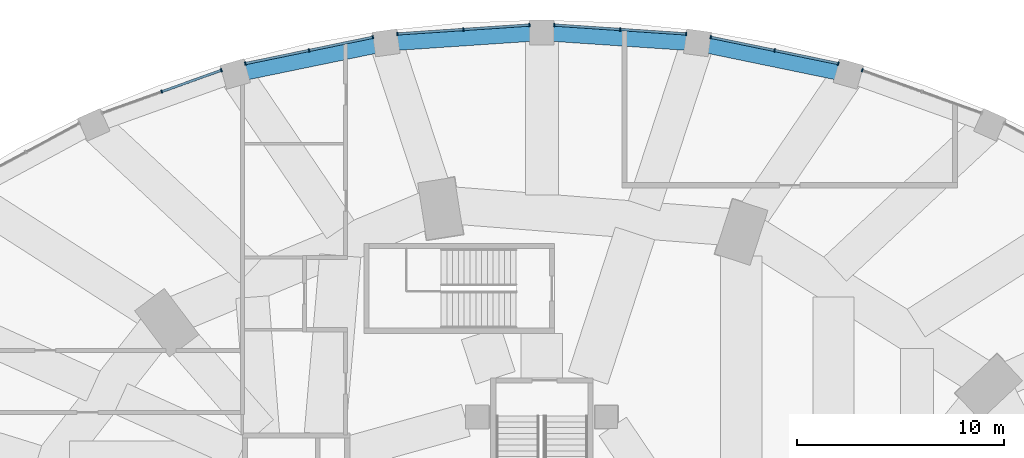
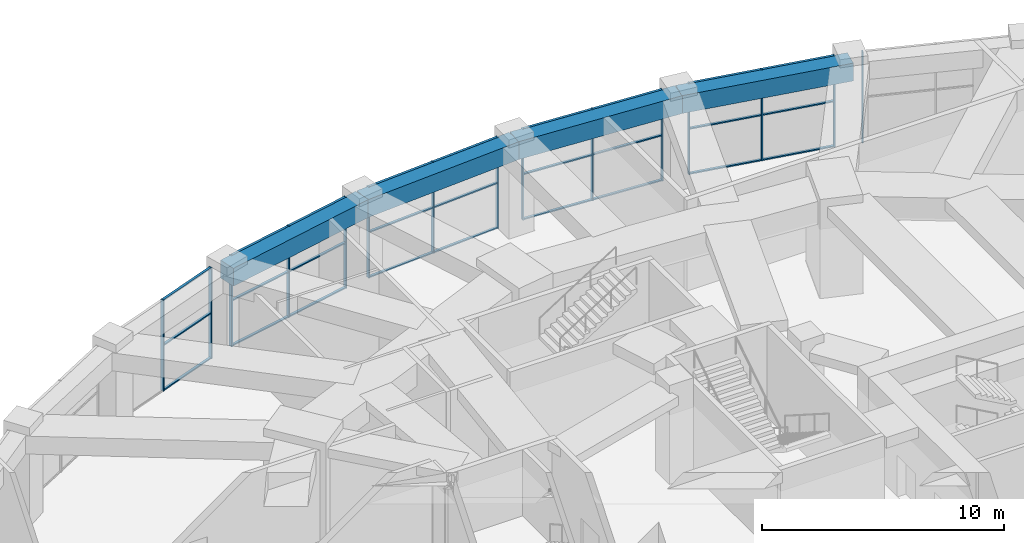
# One storey, part 16 of 32: 42 members, 4 beams, 6 elements without a shape of their own.
"""IFC4 building model written with IfcOpenShell, lengths in metres."""

from ifc_helpers import new_model, si_unit, direction, frame, origin, origin_2d, place, context, subcontext, project, spatial, rectangle, extrude, material, material_profile, profile_set, type_object, element, aggregate, save


model = new_model("IFC4")

# Units and contexts
model_context = context("Model", 3, precision=1e-05, world=origin(), true_north=direction((0.0, 1.0)))
body_context = subcontext(model_context, "Body", "Model", "MODEL_VIEW")
ifc_project = project(units=[si_unit("LENGTHUNIT", "METRE"), si_unit("AREAUNIT", "SQUARE_METRE"), si_unit("VOLUMEUNIT", "CUBIC_METRE"), si_unit("PLANEANGLEUNIT", "RADIAN"), si_unit("MASSUNIT", "GRAM", prefix="KILO")], contexts=[model_context])

# Site, building, storey
site_placement = place(None, origin())
site = spatial("IfcSite", under=ifc_project, at=site_placement, CompositionType="ELEMENT")
building_placement = place(site_placement, origin())
building = spatial("IfcBuilding", under=site, at=building_placement, Name="Taillehof Tower", CompositionType="ELEMENT")
storey_placement = place(building_placement, frame((0.0, 0.0, 7.5)))
storey = spatial("IfcBuildingStorey", under=building, at=storey_placement, Name="L01", CompositionType="ELEMENT", Elevation=7.5)

# Beams
ifc_material_1 = material(Name="Concrete C50/60", Category="concrete")
ifc_material_profile_1 = material_profile(ifc_material_1, rectangle(XDim=0.800048828125, YDim=0.89990234375, at=origin_2d()), Name="RC 800x900")
ifc_profile_set_1 = profile_set([ifc_material_profile_1], Name="Concrete C50/60")
beam_type = type_object("IfcBeamType", Name="Podium edge beam C50/60 800x900", PredefinedType="BEAM", material=ifc_profile_set_1)
beam_1_placement = place(storey_placement, frame((14.84375, 31.3857421875, 4.139892578125), z_axis=(-0.979394077534, 0.201958512797, 0.0), x_axis=(-0.201958512797, -0.979394077534, 0.0)))
element("IfcBeam", 1, at=beam_1_placement, inside=storey, type_object=beam_type, Name="Podium edge beam PB08", PredefinedType="BEAM", context=body_context, shape_type="SweptSolid", body=[
    extrude(rectangle(XDim=0.800048828125, YDim=0.89990234375, at=origin_2d()), origin(), (0.0, 0.0, 1.0), 7.461181640625),
])
for number, where, z_axis, x_axis, name in (
    (2, (7.536376953125, 32.892578125, 4.139892578125), (-0.997741900844, 0.067164717676, 0.0), (-0.067164717676, -0.997741900844, 0.0), "Podium edge beam PB09"),
    (3, (0.0, 33.39990234375, 4.139892578125), (-0.997741900844, -0.067164717676, 0.0), (0.067164717676, -0.997741900844, 0.0), "Podium edge beam PB10"),
):
    element("IfcBeam", number, at=place(storey_placement, frame(where, z_axis=z_axis, x_axis=x_axis)), inside=storey, type_object=beam_type, Name=name, PredefinedType="BEAM", context=body_context, shape_type="SweptSolid", body=[
        extrude(rectangle(XDim=0.800048828125, YDim=0.89990234375, at=origin_2d()), origin(), (0.0, 0.0, 1.0), 7.553466796875),
    ])
beam_2_placement = place(storey_placement, frame((-7.536376953125, 32.892578125, 4.139892578125), z_axis=(-0.979394077534, -0.201958512797, 0.0), x_axis=(0.201958512797, -0.979394077534, 0.0)))
element("IfcBeam", 4, at=beam_2_placement, inside=storey, type_object=beam_type, Name="Podium edge beam PB11", PredefinedType="BEAM", context=body_context, shape_type="SweptSolid", body=[
    extrude(rectangle(XDim=0.800048828125, YDim=0.89990234375, at=origin_2d()), origin(), (0.0, 0.0, 1.0), 7.461181640625),
])

# Curtain wall, member
ifc_material_2 = material(Name="Aluminium curtain wall with Clear low-emissivity double glazing", Category="aluminium")
curtain_wall_type = type_object("IfcCurtainWallType", Name="Podium window wall curtain wall", PredefinedType="USERDEFINED", material=ifc_material_2)
curtain_wall_1_placement = place(storey_placement, origin())
curtain_wall_1 = element("IfcCurtainWall", 5, at=curtain_wall_1_placement, inside=storey, type_object=curtain_wall_type, Name="Podium window wall L01 bay 7", ObjectType="WINDOW WALL", PredefinedType="USERDEFINED")
ifc_material_3 = material(Name="Aluminium mullion", Category="aluminium")
ifc_material_profile_2 = material_profile(ifc_material_3, rectangle(XDim=0.159912109375, YDim=0.06005859375, at=origin_2d()), Name="AL 60x160")
ifc_profile_set_2 = profile_set([ifc_material_profile_2], Name="Aluminium mullion")
member_type_1 = type_object("IfcMemberType", Name="Podium window wall mullion 60x160", PredefinedType="MULLION", material=ifc_profile_set_2)
member_1_placement = place(storey_placement, frame((15.51806640625, 31.567138671875, 0.0), z_axis=(0.0, 0.0, 1.0), x_axis=(-0.337798502496, -0.94121845058, 0.0)))
member_1 = element("IfcMember", 6, at=member_1_placement, type_object=member_type_1, Name="CT207 mullion 3", PredefinedType="MULLION", context=body_context, shape_type="SweptSolid", body=[
    extrude(rectangle(XDim=0.159912109375, YDim=0.06005859375, at=origin_2d()), origin(), (0.0, 0.0, 1.0), 4.590087890625),
])
aggregate(curtain_wall_1, [member_1])

# Curtain wall, members
curtain_wall_2_placement = place(storey_placement, origin())
curtain_wall_2 = element("IfcCurtainWall", 7, at=curtain_wall_2_placement, inside=storey, type_object=curtain_wall_type, Name="Podium window wall L01 bay 8", ObjectType="WINDOW WALL", PredefinedType="USERDEFINED")
member_2_placement = place(storey_placement, frame((14.36279296875, 31.891845703125, 0.0), z_axis=(0.0, 0.0, 1.0), x_axis=(-0.201976001877, -0.97939047099, 0.0)))
member_2 = element("IfcMember", 8, at=member_2_placement, type_object=member_type_1, Name="CT208 mullion 1", PredefinedType="MULLION", context=body_context, shape_type="SweptSolid", body=[
    extrude(rectangle(XDim=0.159912109375, YDim=0.06005859375, at=origin_2d()), origin(), (0.0, 0.0, 1.0), 4.590087890625),
])
member_3_placement = place(storey_placement, frame((11.27099609375, 32.529296875, 0.0), z_axis=(0.0, 0.0, 1.0), x_axis=(-0.201976001877, -0.97939047099, 0.0)))
member_3 = element("IfcMember", 9, at=member_3_placement, type_object=member_type_1, Name="CT208 mullion 2", PredefinedType="MULLION", context=body_context, shape_type="SweptSolid", body=[
    extrude(rectangle(XDim=0.159912109375, YDim=0.06005859375, at=origin_2d()), origin(), (0.0, 0.0, 1.0), 4.590087890625),
])
member_4_placement = place(storey_placement, frame((8.17919921875, 33.1669921875, 0.0), z_axis=(0.0, 0.0, 1.0), x_axis=(-0.201976001877, -0.97939047099, 0.0)))
member_4 = element("IfcMember", 10, at=member_4_placement, type_object=member_type_1, Name="CT208 mullion 3", PredefinedType="MULLION", context=body_context, shape_type="SweptSolid", body=[
    extrude(rectangle(XDim=0.159912109375, YDim=0.06005859375, at=origin_2d()), origin(), (0.0, 0.0, 1.0), 4.590087890625),
])

curtain_wall_3_placement = place(storey_placement, origin())
curtain_wall_3 = element("IfcCurtainWall", 11, at=curtain_wall_3_placement, inside=storey, type_object=curtain_wall_type, Name="Podium window wall L01 bay 9", ObjectType="WINDOW WALL", PredefinedType="USERDEFINED")
member_5_placement = place(storey_placement, frame((6.990234375, 33.328857421875, 0.0), z_axis=(0.0, 0.0, 1.0), x_axis=(-0.067182989977, -0.997740670644, 0.0)))
member_5 = element("IfcMember", 12, at=member_5_placement, type_object=member_type_1, Name="CT209 mullion 1", PredefinedType="MULLION", context=body_context, shape_type="SweptSolid", body=[
    extrude(rectangle(XDim=0.159912109375, YDim=0.06005859375, at=origin_2d()), origin(), (0.0, 0.0, 1.0), 4.590087890625),
])
member_6_placement = place(storey_placement, frame((3.795166015625, 33.5439453125, 0.0), z_axis=(0.0, 0.0, 1.0), x_axis=(-0.067182989977, -0.997740670644, 0.0)))
member_6 = element("IfcMember", 13, at=member_6_placement, type_object=member_type_1, Name="CT209 mullion 2", PredefinedType="MULLION", context=body_context, shape_type="SweptSolid", body=[
    extrude(rectangle(XDim=0.159912109375, YDim=0.06005859375, at=origin_2d()), origin(), (0.0, 0.0, 1.0), 4.590087890625),
])
member_7_placement = place(storey_placement, frame((0.60009765625, 33.759033203125, 0.0), z_axis=(0.0, 0.0, 1.0), x_axis=(-0.067182989977, -0.997740670644, 0.0)))
member_7 = element("IfcMember", 14, at=member_7_placement, type_object=member_type_1, Name="CT209 mullion 3", PredefinedType="MULLION", context=body_context, shape_type="SweptSolid", body=[
    extrude(rectangle(XDim=0.159912109375, YDim=0.06005859375, at=origin_2d()), origin(), (0.0, 0.0, 1.0), 4.590087890625),
])

curtain_wall_4_placement = place(storey_placement, origin())
curtain_wall_4 = element("IfcCurtainWall", 15, at=curtain_wall_4_placement, inside=storey, type_object=curtain_wall_type, Name="Podium window wall L01 bay 10", ObjectType="WINDOW WALL", PredefinedType="USERDEFINED")
member_8_placement = place(storey_placement, frame((-0.60009765625, 33.759033203125, 0.0), z_axis=(0.0, 0.0, 1.0), x_axis=(0.067182989977, -0.997740670644, 0.0)))
member_8 = element("IfcMember", 16, at=member_8_placement, type_object=member_type_1, Name="CT210 mullion 1", PredefinedType="MULLION", context=body_context, shape_type="SweptSolid", body=[
    extrude(rectangle(XDim=0.159912109375, YDim=0.06005859375, at=origin_2d()), origin(), (0.0, 0.0, 1.0), 4.590087890625),
])
member_9_placement = place(storey_placement, frame((-3.795166015625, 33.5439453125, 0.0), z_axis=(0.0, 0.0, 1.0), x_axis=(0.067182989977, -0.997740670644, 0.0)))
member_9 = element("IfcMember", 17, at=member_9_placement, type_object=member_type_1, Name="CT210 mullion 2", PredefinedType="MULLION", context=body_context, shape_type="SweptSolid", body=[
    extrude(rectangle(XDim=0.159912109375, YDim=0.06005859375, at=origin_2d()), origin(), (0.0, 0.0, 1.0), 4.590087890625),
])
member_10_placement = place(storey_placement, frame((-6.990234375, 33.328857421875, 0.0), z_axis=(0.0, 0.0, 1.0), x_axis=(0.067182989977, -0.997740670644, 0.0)))
member_10 = element("IfcMember", 18, at=member_10_placement, type_object=member_type_1, Name="CT210 mullion 3", PredefinedType="MULLION", context=body_context, shape_type="SweptSolid", body=[
    extrude(rectangle(XDim=0.159912109375, YDim=0.06005859375, at=origin_2d()), origin(), (0.0, 0.0, 1.0), 4.590087890625),
])

curtain_wall_5_placement = place(storey_placement, origin())
curtain_wall_5 = element("IfcCurtainWall", 19, at=curtain_wall_5_placement, inside=storey, type_object=curtain_wall_type, Name="Podium window wall L01 bay 11", ObjectType="WINDOW WALL", PredefinedType="USERDEFINED")
member_11_placement = place(storey_placement, frame((-8.17919921875, 33.1669921875, 0.0), z_axis=(0.0, 0.0, 1.0), x_axis=(0.201976001877, -0.97939047099, 0.0)))
member_11 = element("IfcMember", 20, at=member_11_placement, type_object=member_type_1, Name="CT211 mullion 1", PredefinedType="MULLION", context=body_context, shape_type="SweptSolid", body=[
    extrude(rectangle(XDim=0.159912109375, YDim=0.06005859375, at=origin_2d()), origin(), (0.0, 0.0, 1.0), 4.590087890625),
])
member_12_placement = place(storey_placement, frame((-11.27099609375, 32.529296875, 0.0), z_axis=(0.0, 0.0, 1.0), x_axis=(0.201976001877, -0.97939047099, 0.0)))
member_12 = element("IfcMember", 21, at=member_12_placement, type_object=member_type_1, Name="CT211 mullion 2", PredefinedType="MULLION", context=body_context, shape_type="SweptSolid", body=[
    extrude(rectangle(XDim=0.159912109375, YDim=0.06005859375, at=origin_2d()), origin(), (0.0, 0.0, 1.0), 4.590087890625),
])
member_13_placement = place(storey_placement, frame((-14.36279296875, 31.891845703125, 0.0), z_axis=(0.0, 0.0, 1.0), x_axis=(0.201976001877, -0.97939047099, 0.0)))
member_13 = element("IfcMember", 22, at=member_13_placement, type_object=member_type_1, Name="CT211 mullion 3", PredefinedType="MULLION", context=body_context, shape_type="SweptSolid", body=[
    extrude(rectangle(XDim=0.159912109375, YDim=0.06005859375, at=origin_2d()), origin(), (0.0, 0.0, 1.0), 4.590087890625),
])

curtain_wall_6_placement = place(storey_placement, origin())
curtain_wall_6 = element("IfcCurtainWall", 23, at=curtain_wall_6_placement, inside=storey, type_object=curtain_wall_type, Name="Podium window wall L01 bay 12", ObjectType="WINDOW WALL", PredefinedType="USERDEFINED")
member_14_placement = place(storey_placement, frame((-15.51806640625, 31.567138671875, 0.0), z_axis=(0.0, 0.0, 1.0), x_axis=(0.337798502496, -0.94121845058, 0.0)))
member_14 = element("IfcMember", 24, at=member_14_placement, type_object=member_type_1, Name="CT212 mullion 1", PredefinedType="MULLION", context=body_context, shape_type="SweptSolid", body=[
    extrude(rectangle(XDim=0.159912109375, YDim=0.06005859375, at=origin_2d()), origin(), (0.0, 0.0, 1.0), 4.590087890625),
])
member_15_placement = place(storey_placement, frame((-18.4072265625, 30.5302734375, 0.0), z_axis=(0.0, 0.0, 1.0), x_axis=(0.337798502496, -0.94121845058, 0.0)))
member_15 = element("IfcMember", 25, at=member_15_placement, type_object=member_type_1, Name="CT212 mullion 2", PredefinedType="MULLION", context=body_context, shape_type="SweptSolid", body=[
    extrude(rectangle(XDim=0.159912109375, YDim=0.06005859375, at=origin_2d()), origin(), (0.0, 0.0, 1.0), 4.590087890625),
])

# Member
ifc_material_4 = material(Name="Aluminium transom", Category="aluminium")
ifc_material_profile_3 = material_profile(ifc_material_4, rectangle(XDim=0.1201171875, YDim=0.06005859375, at=origin_2d()), Name="AL 120x60")
ifc_profile_set_3 = profile_set([ifc_material_profile_3], Name="Aluminium transom")
member_type_2 = type_object("IfcMemberType", Name="Podium window wall transom 120x60", PredefinedType="USERDEFINED", material=ifc_profile_set_3)
member_16_placement = place(storey_placement, frame((14.333251953125, 31.89794921875, 0.030029296875), z_axis=(-0.979389666619, 0.201979902268, 0.0), x_axis=(-0.201979902268, -0.979389666619, 0.0)))
member_16 = element("IfcMember", 26, at=member_16_placement, type_object=member_type_2, Name="CT208 transom 1.1", ObjectType="TRANSOM", PredefinedType="USERDEFINED", context=body_context, shape_type="SweptSolid", body=[
    extrude(rectangle(XDim=0.1201171875, YDim=0.06005859375, at=origin_2d()), origin(), (0.0, 0.0, 1.0), 3.0966796875),
])

member_17_placement = place(storey_placement, frame((14.333251953125, 31.89794921875, 2.294921875), z_axis=(-0.979389666619, 0.201979902268, 0.0), x_axis=(-0.201979902268, -0.979389666619, 0.0)))
member_17 = element("IfcMember", 27, at=member_17_placement, type_object=member_type_2, Name="CT208 transom 1.2", ObjectType="TRANSOM", PredefinedType="USERDEFINED", context=body_context, shape_type="SweptSolid", body=[
    extrude(rectangle(XDim=0.1201171875, YDim=0.06005859375, at=origin_2d()), origin(), (0.0, 0.0, 1.0), 3.0966796875),
])

member_18_placement = place(storey_placement, frame((14.333251953125, 31.89794921875, 4.56005859375), z_axis=(-0.979389666619, 0.201979902268, 0.0), x_axis=(-0.201979902268, -0.979389666619, 0.0)))
member_18 = element("IfcMember", 28, at=member_18_placement, type_object=member_type_2, Name="CT208 transom 1.3", ObjectType="TRANSOM", PredefinedType="USERDEFINED", context=body_context, shape_type="SweptSolid", body=[
    extrude(rectangle(XDim=0.1201171875, YDim=0.06005859375, at=origin_2d()), origin(), (0.0, 0.0, 1.0), 3.0966796875),
])

member_19_placement = place(storey_placement, frame((11.24169921875, 32.535400390625, 0.030029296875), z_axis=(-0.979389666619, 0.201979902268, 0.0), x_axis=(-0.201979902268, -0.979389666619, 0.0)))
member_19 = element("IfcMember", 29, at=member_19_placement, type_object=member_type_2, Name="CT208 transom 2.1", ObjectType="TRANSOM", PredefinedType="USERDEFINED", context=body_context, shape_type="SweptSolid", body=[
    extrude(rectangle(XDim=0.1201171875, YDim=0.06005859375, at=origin_2d()), origin(), (0.0, 0.0, 1.0), 3.0966796875),
])

member_20_placement = place(storey_placement, frame((11.24169921875, 32.535400390625, 2.294921875), z_axis=(-0.979389666619, 0.201979902268, 0.0), x_axis=(-0.201979902268, -0.979389666619, 0.0)))
member_20 = element("IfcMember", 30, at=member_20_placement, type_object=member_type_2, Name="CT208 transom 2.2", ObjectType="TRANSOM", PredefinedType="USERDEFINED", context=body_context, shape_type="SweptSolid", body=[
    extrude(rectangle(XDim=0.1201171875, YDim=0.06005859375, at=origin_2d()), origin(), (0.0, 0.0, 1.0), 3.0966796875),
])

member_21_placement = place(storey_placement, frame((11.24169921875, 32.535400390625, 4.56005859375), z_axis=(-0.979389666619, 0.201979902268, 0.0), x_axis=(-0.201979902268, -0.979389666619, 0.0)))
member_21 = element("IfcMember", 31, at=member_21_placement, type_object=member_type_2, Name="CT208 transom 2.3", ObjectType="TRANSOM", PredefinedType="USERDEFINED", context=body_context, shape_type="SweptSolid", body=[
    extrude(rectangle(XDim=0.1201171875, YDim=0.06005859375, at=origin_2d()), origin(), (0.0, 0.0, 1.0), 3.0966796875),
])

aggregate(curtain_wall_2, [member_2, member_3, member_4, member_16, member_17, member_18, member_19, member_20, member_21])

member_22_placement = place(storey_placement, frame((6.960205078125, 33.330810546875, 0.030029296875), z_axis=(-0.997739199903, 0.067204828525, 0.0), x_axis=(-0.067204828525, -0.997739199903, 0.0)))
member_22 = element("IfcMember", 32, at=member_22_placement, type_object=member_type_2, Name="CT209 transom 1.1", ObjectType="TRANSOM", PredefinedType="USERDEFINED", context=body_context, shape_type="SweptSolid", body=[
    extrude(rectangle(XDim=0.1201171875, YDim=0.06005859375, at=origin_2d()), origin(), (0.0, 0.0, 1.0), 3.142333984375),
])

member_23_placement = place(storey_placement, frame((6.960205078125, 33.330810546875, 2.294921875), z_axis=(-0.997739199903, 0.067204828525, 0.0), x_axis=(-0.067204828525, -0.997739199903, 0.0)))
member_23 = element("IfcMember", 33, at=member_23_placement, type_object=member_type_2, Name="CT209 transom 1.2", ObjectType="TRANSOM", PredefinedType="USERDEFINED", context=body_context, shape_type="SweptSolid", body=[
    extrude(rectangle(XDim=0.1201171875, YDim=0.06005859375, at=origin_2d()), origin(), (0.0, 0.0, 1.0), 3.142333984375),
])

member_24_placement = place(storey_placement, frame((6.960205078125, 33.330810546875, 4.56005859375), z_axis=(-0.997739199903, 0.067204828525, 0.0), x_axis=(-0.067204828525, -0.997739199903, 0.0)))
member_24 = element("IfcMember", 34, at=member_24_placement, type_object=member_type_2, Name="CT209 transom 1.3", ObjectType="TRANSOM", PredefinedType="USERDEFINED", context=body_context, shape_type="SweptSolid", body=[
    extrude(rectangle(XDim=0.1201171875, YDim=0.06005859375, at=origin_2d()), origin(), (0.0, 0.0, 1.0), 3.142333984375),
])

member_25_placement = place(storey_placement, frame((3.76513671875, 33.5458984375, 0.030029296875), z_axis=(-0.997739199903, 0.067204828525, 0.0), x_axis=(-0.067204828525, -0.997739199903, 0.0)))
member_25 = element("IfcMember", 35, at=member_25_placement, type_object=member_type_2, Name="CT209 transom 2.1", ObjectType="TRANSOM", PredefinedType="USERDEFINED", context=body_context, shape_type="SweptSolid", body=[
    extrude(rectangle(XDim=0.1201171875, YDim=0.06005859375, at=origin_2d()), origin(), (0.0, 0.0, 1.0), 3.142333984375),
])

member_26_placement = place(storey_placement, frame((3.76513671875, 33.5458984375, 2.294921875), z_axis=(-0.997739199903, 0.067204828525, 0.0), x_axis=(-0.067204828525, -0.997739199903, 0.0)))
member_26 = element("IfcMember", 36, at=member_26_placement, type_object=member_type_2, Name="CT209 transom 2.2", ObjectType="TRANSOM", PredefinedType="USERDEFINED", context=body_context, shape_type="SweptSolid", body=[
    extrude(rectangle(XDim=0.1201171875, YDim=0.06005859375, at=origin_2d()), origin(), (0.0, 0.0, 1.0), 3.142333984375),
])

member_27_placement = place(storey_placement, frame((3.76513671875, 33.5458984375, 4.56005859375), z_axis=(-0.997739199903, 0.067204828525, 0.0), x_axis=(-0.067204828525, -0.997739199903, 0.0)))
member_27 = element("IfcMember", 37, at=member_27_placement, type_object=member_type_2, Name="CT209 transom 2.3", ObjectType="TRANSOM", PredefinedType="USERDEFINED", context=body_context, shape_type="SweptSolid", body=[
    extrude(rectangle(XDim=0.1201171875, YDim=0.06005859375, at=origin_2d()), origin(), (0.0, 0.0, 1.0), 3.142333984375),
])

aggregate(curtain_wall_3, [member_5, member_6, member_7, member_22, member_23, member_24, member_25, member_26, member_27])

member_28_placement = place(storey_placement, frame((-0.6298828125, 33.757080078125, 0.030029296875), z_axis=(-0.997739199903, -0.067204828525, 0.0), x_axis=(0.067204828525, -0.997739199903, 0.0)))
member_28 = element("IfcMember", 38, at=member_28_placement, type_object=member_type_2, Name="CT210 transom 1.1", ObjectType="TRANSOM", PredefinedType="USERDEFINED", context=body_context, shape_type="SweptSolid", body=[
    extrude(rectangle(XDim=0.1201171875, YDim=0.06005859375, at=origin_2d()), origin(), (0.0, 0.0, 1.0), 3.142333984375),
])

member_29_placement = place(storey_placement, frame((-0.6298828125, 33.757080078125, 2.294921875), z_axis=(-0.997739199903, -0.067204828525, 0.0), x_axis=(0.067204828525, -0.997739199903, 0.0)))
member_29 = element("IfcMember", 39, at=member_29_placement, type_object=member_type_2, Name="CT210 transom 1.2", ObjectType="TRANSOM", PredefinedType="USERDEFINED", context=body_context, shape_type="SweptSolid", body=[
    extrude(rectangle(XDim=0.1201171875, YDim=0.06005859375, at=origin_2d()), origin(), (0.0, 0.0, 1.0), 3.142333984375),
])

member_30_placement = place(storey_placement, frame((-0.6298828125, 33.757080078125, 4.56005859375), z_axis=(-0.997739199903, -0.067204828525, 0.0), x_axis=(0.067204828525, -0.997739199903, 0.0)))
member_30 = element("IfcMember", 40, at=member_30_placement, type_object=member_type_2, Name="CT210 transom 1.3", ObjectType="TRANSOM", PredefinedType="USERDEFINED", context=body_context, shape_type="SweptSolid", body=[
    extrude(rectangle(XDim=0.1201171875, YDim=0.06005859375, at=origin_2d()), origin(), (0.0, 0.0, 1.0), 3.142333984375),
])

member_31_placement = place(storey_placement, frame((-3.824951171875, 33.5419921875, 0.030029296875), z_axis=(-0.997739199903, -0.067204828525, 0.0), x_axis=(0.067204828525, -0.997739199903, 0.0)))
member_31 = element("IfcMember", 41, at=member_31_placement, type_object=member_type_2, Name="CT210 transom 2.1", ObjectType="TRANSOM", PredefinedType="USERDEFINED", context=body_context, shape_type="SweptSolid", body=[
    extrude(rectangle(XDim=0.1201171875, YDim=0.06005859375, at=origin_2d()), origin(), (0.0, 0.0, 1.0), 3.142333984375),
])

member_32_placement = place(storey_placement, frame((-3.824951171875, 33.5419921875, 2.294921875), z_axis=(-0.997739199903, -0.067204828525, 0.0), x_axis=(0.067204828525, -0.997739199903, 0.0)))
member_32 = element("IfcMember", 42, at=member_32_placement, type_object=member_type_2, Name="CT210 transom 2.2", ObjectType="TRANSOM", PredefinedType="USERDEFINED", context=body_context, shape_type="SweptSolid", body=[
    extrude(rectangle(XDim=0.1201171875, YDim=0.06005859375, at=origin_2d()), origin(), (0.0, 0.0, 1.0), 3.142333984375),
])

member_33_placement = place(storey_placement, frame((-3.824951171875, 33.5419921875, 4.56005859375), z_axis=(-0.997739199903, -0.067204828525, 0.0), x_axis=(0.067204828525, -0.997739199903, 0.0)))
member_33 = element("IfcMember", 43, at=member_33_placement, type_object=member_type_2, Name="CT210 transom 2.3", ObjectType="TRANSOM", PredefinedType="USERDEFINED", context=body_context, shape_type="SweptSolid", body=[
    extrude(rectangle(XDim=0.1201171875, YDim=0.06005859375, at=origin_2d()), origin(), (0.0, 0.0, 1.0), 3.142333984375),
])

aggregate(curtain_wall_4, [member_8, member_9, member_10, member_28, member_29, member_30, member_31, member_32, member_33])

member_34_placement = place(storey_placement, frame((-8.208740234375, 33.160888671875, 0.030029296875), z_axis=(-0.979389666619, -0.201979902268, 0.0), x_axis=(0.201979902268, -0.979389666619, 0.0)))
member_34 = element("IfcMember", 44, at=member_34_placement, type_object=member_type_2, Name="CT211 transom 1.1", ObjectType="TRANSOM", PredefinedType="USERDEFINED", context=body_context, shape_type="SweptSolid", body=[
    extrude(rectangle(XDim=0.1201171875, YDim=0.06005859375, at=origin_2d()), origin(), (0.0, 0.0, 1.0), 3.0966796875),
])

member_35_placement = place(storey_placement, frame((-8.208740234375, 33.160888671875, 2.294921875), z_axis=(-0.979389666619, -0.201979902268, 0.0), x_axis=(0.201979902268, -0.979389666619, 0.0)))
member_35 = element("IfcMember", 45, at=member_35_placement, type_object=member_type_2, Name="CT211 transom 1.2", ObjectType="TRANSOM", PredefinedType="USERDEFINED", context=body_context, shape_type="SweptSolid", body=[
    extrude(rectangle(XDim=0.1201171875, YDim=0.06005859375, at=origin_2d()), origin(), (0.0, 0.0, 1.0), 3.0966796875),
])

member_36_placement = place(storey_placement, frame((-8.208740234375, 33.160888671875, 4.56005859375), z_axis=(-0.979389666619, -0.201979902268, 0.0), x_axis=(0.201979902268, -0.979389666619, 0.0)))
member_36 = element("IfcMember", 46, at=member_36_placement, type_object=member_type_2, Name="CT211 transom 1.3", ObjectType="TRANSOM", PredefinedType="USERDEFINED", context=body_context, shape_type="SweptSolid", body=[
    extrude(rectangle(XDim=0.1201171875, YDim=0.06005859375, at=origin_2d()), origin(), (0.0, 0.0, 1.0), 3.0966796875),
])

member_37_placement = place(storey_placement, frame((-11.30029296875, 32.5234375, 0.030029296875), z_axis=(-0.979389666619, -0.201979902268, 0.0), x_axis=(0.201979902268, -0.979389666619, 0.0)))
member_37 = element("IfcMember", 47, at=member_37_placement, type_object=member_type_2, Name="CT211 transom 2.1", ObjectType="TRANSOM", PredefinedType="USERDEFINED", context=body_context, shape_type="SweptSolid", body=[
    extrude(rectangle(XDim=0.1201171875, YDim=0.06005859375, at=origin_2d()), origin(), (0.0, 0.0, 1.0), 3.0966796875),
])

member_38_placement = place(storey_placement, frame((-11.30029296875, 32.5234375, 2.294921875), z_axis=(-0.979389666619, -0.201979902268, 0.0), x_axis=(0.201979902268, -0.979389666619, 0.0)))
member_38 = element("IfcMember", 48, at=member_38_placement, type_object=member_type_2, Name="CT211 transom 2.2", ObjectType="TRANSOM", PredefinedType="USERDEFINED", context=body_context, shape_type="SweptSolid", body=[
    extrude(rectangle(XDim=0.1201171875, YDim=0.06005859375, at=origin_2d()), origin(), (0.0, 0.0, 1.0), 3.0966796875),
])

member_39_placement = place(storey_placement, frame((-11.30029296875, 32.5234375, 4.56005859375), z_axis=(-0.979389666619, -0.201979902268, 0.0), x_axis=(0.201979902268, -0.979389666619, 0.0)))
member_39 = element("IfcMember", 49, at=member_39_placement, type_object=member_type_2, Name="CT211 transom 2.3", ObjectType="TRANSOM", PredefinedType="USERDEFINED", context=body_context, shape_type="SweptSolid", body=[
    extrude(rectangle(XDim=0.1201171875, YDim=0.06005859375, at=origin_2d()), origin(), (0.0, 0.0, 1.0), 3.0966796875),
])

aggregate(curtain_wall_5, [member_11, member_12, member_13, member_34, member_35, member_36, member_37, member_38, member_39])

member_40_placement = place(storey_placement, frame((-15.546142578125, 31.556884765625, 0.030029296875), z_axis=(-0.941225092519, -0.337779995281, 0.0), x_axis=(0.337779995281, -0.941225092519, 0.0)))
member_40 = element("IfcMember", 50, at=member_40_placement, type_object=member_type_2, Name="CT212 transom 1.1", ObjectType="TRANSOM", PredefinedType="USERDEFINED", context=body_context, shape_type="SweptSolid", body=[
    extrude(rectangle(XDim=0.1201171875, YDim=0.06005859375, at=origin_2d()), origin(), (0.0, 0.0, 1.0), 3.009765625),
])

member_41_placement = place(storey_placement, frame((-15.546142578125, 31.556884765625, 2.294921875), z_axis=(-0.941225092519, -0.337779995281, 0.0), x_axis=(0.337779995281, -0.941225092519, 0.0)))
member_41 = element("IfcMember", 51, at=member_41_placement, type_object=member_type_2, Name="CT212 transom 1.2", ObjectType="TRANSOM", PredefinedType="USERDEFINED", context=body_context, shape_type="SweptSolid", body=[
    extrude(rectangle(XDim=0.1201171875, YDim=0.06005859375, at=origin_2d()), origin(), (0.0, 0.0, 1.0), 3.009765625),
])

member_42_placement = place(storey_placement, frame((-15.546142578125, 31.556884765625, 4.56005859375), z_axis=(-0.941225092519, -0.337779995281, 0.0), x_axis=(0.337779995281, -0.941225092519, 0.0)))
member_42 = element("IfcMember", 52, at=member_42_placement, type_object=member_type_2, Name="CT212 transom 1.3", ObjectType="TRANSOM", PredefinedType="USERDEFINED", context=body_context, shape_type="SweptSolid", body=[
    extrude(rectangle(XDim=0.1201171875, YDim=0.06005859375, at=origin_2d()), origin(), (0.0, 0.0, 1.0), 3.009765625),
])

aggregate(curtain_wall_6, [member_14, member_15, member_40, member_41, member_42])

save(model, "model.ifc")
